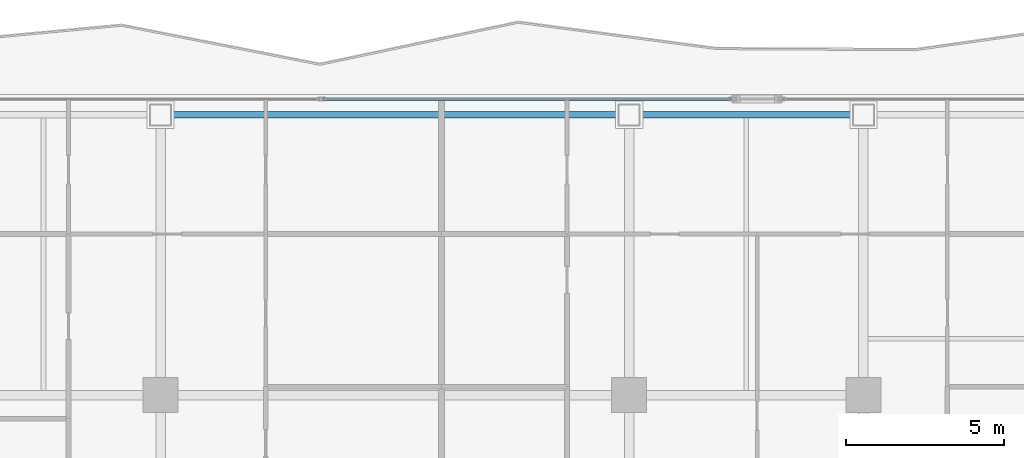
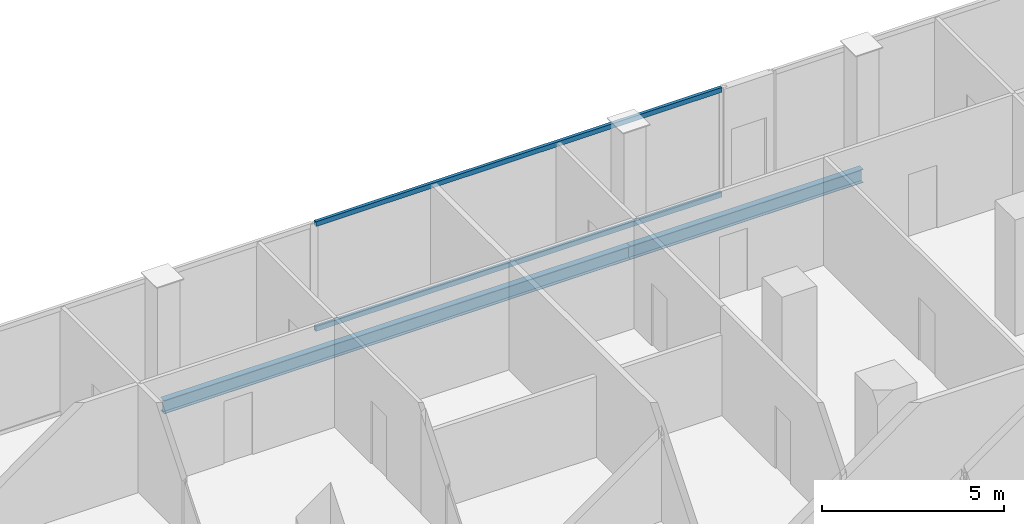
# One storey, part 15 of 27: 2 beams, 2 members, 1 element without a shape of its own.
"""IFC4 building model written with IfcOpenShell, lengths in metres."""

from ifc_helpers import new_model, si_unit, direction, frame, origin, origin_2d, place, context, subcontext, project, spatial, hollow_rectangle, i_section, extrude, material, layer, layer_set, material_profile, profile_set, type_object, element, aggregate, save


model = new_model("IFC4")

# Units and contexts
model_context = context("Model", 3, precision=1e-05, world=origin(), true_north=direction((0.0, 1.0)))
body_context = subcontext(model_context, "Body", "Model", "MODEL_VIEW")
ifc_project = project(units=[si_unit("LENGTHUNIT", "METRE"), si_unit("AREAUNIT", "SQUARE_METRE"), si_unit("VOLUMEUNIT", "CUBIC_METRE"), si_unit("PLANEANGLEUNIT", "RADIAN"), si_unit("MASSUNIT", "GRAM", prefix="KILO")], contexts=[model_context])

# Site, building, storey
site_placement = place(None, origin())
site = spatial("IfcSite", under=ifc_project, at=site_placement, CompositionType="ELEMENT")
building_placement = place(site_placement, origin())
building = spatial("IfcBuilding", under=site, at=building_placement, Name="Khorvyn Point Tower", CompositionType="ELEMENT")
storey_placement = place(building_placement, frame((0.0, 0.0, 132.89990234375)))
storey = spatial("IfcBuildingStorey", under=building, at=storey_placement, Name="L33", CompositionType="ELEMENT", Elevation=132.89990234375)

# Curtain wall, members
ifc_material_1 = material(Name="Anodised aluminium 6063-T6 and laminated Low-E glass", Category="aluminium")
ifc_layer = layer(ifc_material_1, 0.18994140625)
ifc_layer_set = layer_set([ifc_layer], Name="Stick-Built Acoustic Curtain Wall CW-SYS-03")
curtain_wall_type = type_object("IfcCurtainWallType", Name="Stick-Built Acoustic Curtain Wall CW-SYS-03", PredefinedType="NOTDEFINED", material=ifc_layer_set)
curtain_wall_placement = place(storey_placement, origin())
curtain_wall = element("IfcCurtainWall", 1, at=curtain_wall_placement, inside=storey, type_object=curtain_wall_type, Name="Curtain Wall", PredefinedType="NOTDEFINED")
ifc_material_2 = material(Name="Anodised aluminium 6063-T6", Category="aluminium")
ifc_material_profile_1 = material_profile(ifc_material_2, hollow_rectangle(XDim=0.10009765625, YDim=0.159912109375, WallThickness=0.00439453125, at=origin_2d()))
ifc_profile_set_1 = profile_set([ifc_material_profile_1], Name="Anodised aluminium 6063-T6 ALU-TRN-100x160")
member_type = type_object("IfcMemberType", Name="Anodised Aluminium 6063-T6 Transom ALU-TRN-100x160", PredefinedType="USERDEFINED", material=ifc_profile_set_1)
member_1_placement = place(storey_placement, frame((-2.262939453125, 29.449951171875, 0.050048828125), z_axis=(1.0, 0.0, 0.0), x_axis=(0.0, 1.0, 0.0)))
member_1 = element("IfcMember", 2, at=member_1_placement, type_object=member_type, Name="Transom", ObjectType="TRANSOM", PredefinedType="USERDEFINED", context=body_context, shape_type="SweptSolid", body=[
    extrude(hollow_rectangle(XDim=0.10009765625, YDim=0.159912109375, WallThickness=0.00439453125, at=origin_2d()), origin(), (0.0, 0.0, 1.0), 12.886962890625),
])
member_2_placement = place(storey_placement, frame((-2.262939453125, 29.449951171875, 3.570068359375), z_axis=(1.0, 0.0, 0.0), x_axis=(0.0, 1.0, 0.0)))
member_2 = element("IfcMember", 3, at=member_2_placement, type_object=member_type, Name="Transom", ObjectType="TRANSOM", PredefinedType="USERDEFINED", context=body_context, shape_type="SweptSolid", body=[
    extrude(hollow_rectangle(XDim=0.10009765625, YDim=0.159912109375, WallThickness=0.00439453125, at=origin_2d()), origin(), (0.0, 0.0, 1.0), 12.886962890625),
])
aggregate(curtain_wall, [member_1, member_2])

# Beams
ifc_material_3 = material(Name="Steel S355", Category="steel")
ifc_material_profile_2 = material_profile(ifc_material_3, i_section(OverallWidth=0.199951171875, OverallDepth=0.449951171875, WebThickness=0.009033203125, FlangeThickness=0.013916015625, at=origin_2d()))
ifc_profile_set_2 = profile_set([ifc_material_profile_2], Name="Steel S355 H450x200x9x14")
beam_type = type_object("IfcBeamType", Name="Steel S355 Spandrel H450x200x9x14", PredefinedType="SPANDREL", material=ifc_profile_set_2)
beam_1_placement = place(storey_placement, frame((-7.39990234375, 28.949951171875, -0.44482421875), z_axis=(1.0, 0.0, 0.0), x_axis=(0.0, 1.0, 0.0)))
element("IfcBeam", 4, at=beam_1_placement, inside=storey, type_object=beam_type, Name="Beam", PredefinedType="SPANDREL", context=body_context, shape_type="SweptSolid", body=[
    extrude(i_section(OverallWidth=0.199951171875, OverallDepth=0.449951171875, WebThickness=0.009033203125, FlangeThickness=0.013916015625, at=origin_2d()), origin(), (0.0, 0.0, 1.0), 14.7998046875),
])
beam_2_placement = place(storey_placement, frame((7.39990234375, 28.949951171875, -0.44482421875), z_axis=(1.0, 0.0, 0.0), x_axis=(0.0, 1.0, 0.0)))
element("IfcBeam", 5, at=beam_2_placement, inside=storey, type_object=beam_type, Name="Beam", PredefinedType="SPANDREL", context=body_context, shape_type="SweptSolid", body=[
    extrude(i_section(OverallWidth=0.199951171875, OverallDepth=0.449951171875, WebThickness=0.009033203125, FlangeThickness=0.013916015625, at=origin_2d()), origin(), (0.0, 0.0, 1.0), 7.400146484375),
])

save(model, "model.ifc")
